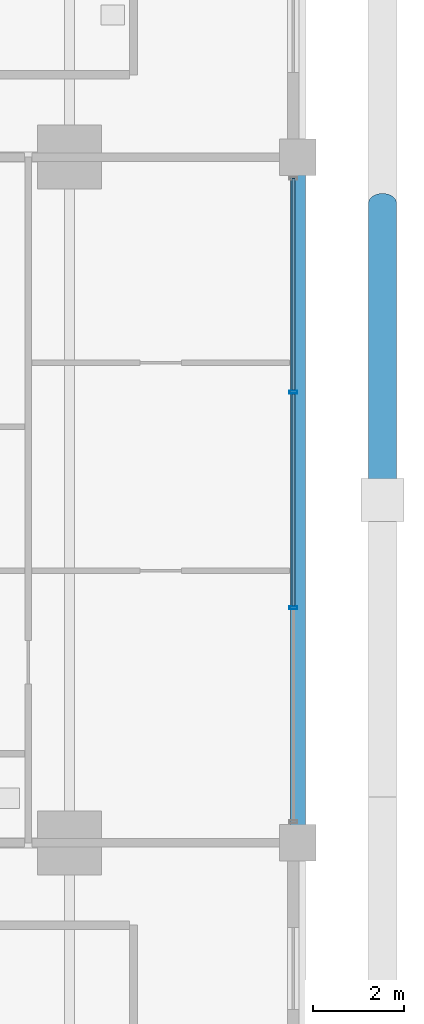
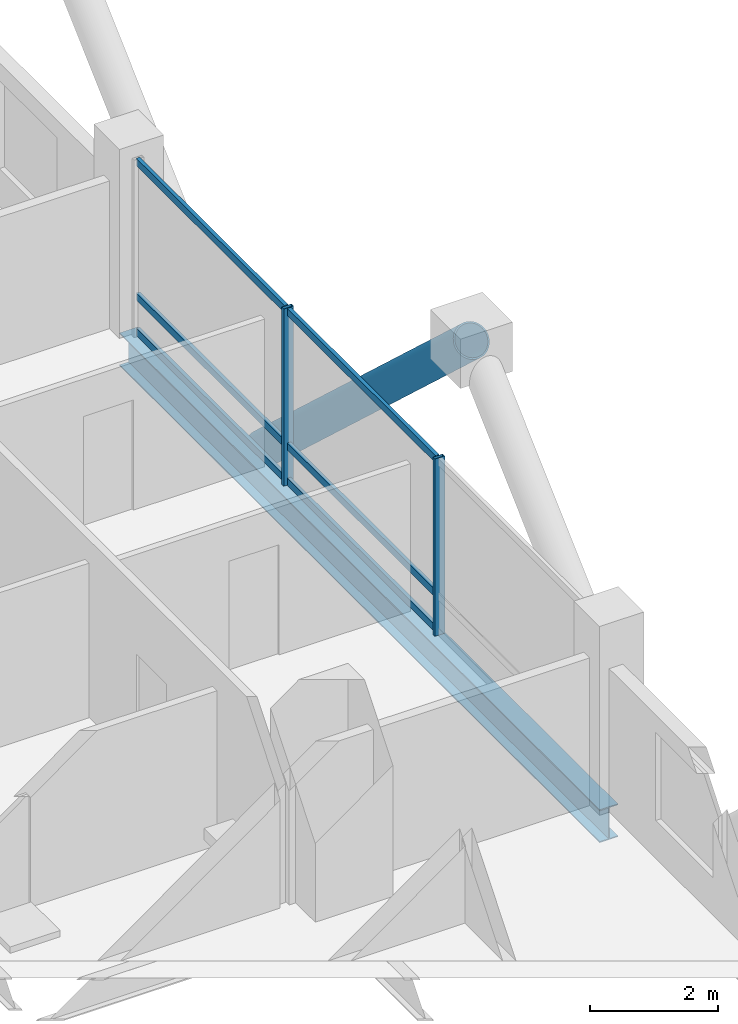
# One storey, part 10 of 23: 9 members, 1 beam, 1 element without a shape of its own.
"""IFC4 building model written with IfcOpenShell, lengths in metres."""

from ifc_helpers import new_model, si_unit, direction, frame, origin, origin_2d, place, context, subcontext, project, spatial, hollow_rectangle, hollow_circle, i_section, extrude, material, layer, layer_set, material_profile, profile_set, type_object, element, aggregate, save


model = new_model("IFC4")

# Units and contexts
model_context = context("Model", 3, precision=1e-05, world=origin(), true_north=direction((0.0, 1.0)))
body_context = subcontext(model_context, "Body", "Model", "MODEL_VIEW")
ifc_project = project(units=[si_unit("LENGTHUNIT", "METRE"), si_unit("AREAUNIT", "SQUARE_METRE"), si_unit("VOLUMEUNIT", "CUBIC_METRE"), si_unit("PLANEANGLEUNIT", "RADIAN"), si_unit("MASSUNIT", "GRAM", prefix="KILO")], contexts=[model_context])

# Site, building, storey
site_placement = place(None, origin())
site = spatial("IfcSite", under=ifc_project, at=site_placement, CompositionType="ELEMENT")
building_placement = place(site_placement, origin())
building = spatial("IfcBuilding", under=site, at=building_placement, Name="Barlavira Tower and Art Museum", CompositionType="ELEMENT")
storey_placement = place(building_placement, frame((0.0, 0.0, 36.0)))
storey = spatial("IfcBuildingStorey", under=building, at=storey_placement, Name="L07", CompositionType="ELEMENT", Elevation=36.0)

# Curtain wall, members
ifc_material_1 = material(Name="Low-iron coastal laminated glass", Category="glass")
ifc_layer = layer(ifc_material_1, 0.179931640625, Name="Low-iron coastal laminated glass")
ifc_layer_set = layer_set([ifc_layer], Name="Low-iron coastal laminated glass")
curtain_wall_type = type_object("IfcCurtainWallType", Name="Pale-Metal Unitised Curtain Wall Zone 1", PredefinedType="NOTDEFINED", material=ifc_layer_set)
curtain_wall_placement = place(storey_placement, origin())
curtain_wall = element("IfcCurtainWall", 1, at=curtain_wall_placement, inside=storey, type_object=curtain_wall_type, Name="L07 Curtain Wall CW1-L07-E-B3", PredefinedType="NOTDEFINED")
ifc_material_2 = material(Name="Pale anodised aluminium", Category="aluminium")
ifc_material_profile_1 = material_profile(ifc_material_2, hollow_rectangle(XDim=0.06494140625, YDim=0.179931640625, WallThickness=0.00390625, at=origin_2d()), Name="ALU-MULL 65x180x4")
ifc_profile_set_1 = profile_set([ifc_material_profile_1], Name="Pale anodised aluminium")
member_type_1 = type_object("IfcMemberType", Name="Curtain Wall Pale-Metal Mullion 65x180", PredefinedType="MULLION", material=ifc_profile_set_1)
member_1_placement = place(storey_placement, frame((21.89990234375, -2.360107421875, 0.0), z_axis=(0.0, 0.0, 1.0), x_axis=(0.0, 1.0, 0.0)))
member_1 = element("IfcMember", 2, at=member_1_placement, type_object=member_type_1, Name="CW1-L07-E-B3 Mullion 1", PredefinedType="MULLION", context=body_context, shape_type="SweptSolid", body=[
    extrude(hollow_rectangle(XDim=0.06494140625, YDim=0.179931640625, WallThickness=0.00390625, at=origin_2d()), origin(), (0.0, 0.0, 1.0), 3.3798828125),
])
member_2_placement = place(storey_placement, frame((21.89990234375, 2.360107421875, 0.0), z_axis=(0.0, 0.0, 1.0), x_axis=(0.0, 1.0, 0.0)))
member_2 = element("IfcMember", 3, at=member_2_placement, type_object=member_type_1, Name="CW1-L07-E-B3 Mullion 2", PredefinedType="MULLION", context=body_context, shape_type="SweptSolid", body=[
    extrude(hollow_rectangle(XDim=0.06494140625, YDim=0.179931640625, WallThickness=0.00390625, at=origin_2d()), origin(), (0.0, 0.0, 1.0), 3.3798828125),
])
ifc_material_profile_2 = material_profile(ifc_material_2, hollow_rectangle(XDim=0.06494140625, YDim=0.139892578125, WallThickness=0.00390625, at=origin_2d()), Name="ALU-TRAN 65x140x4")
ifc_profile_set_2 = profile_set([ifc_material_profile_2], Name="Pale anodised aluminium")
member_type_2 = type_object("IfcMemberType", Name="Curtain Wall Pale-Metal Transom 65x140", PredefinedType="USERDEFINED", material=ifc_profile_set_2)
member_3_placement = place(storey_placement, frame((21.89990234375, -2.31494140625, 0.070068359375), z_axis=(0.0, 1.0, 0.0), x_axis=(-1.0, 0.0, 0.0)))
member_3 = element("IfcMember", 4, at=member_3_placement, type_object=member_type_2, Name="CW1-L07-E-B3 Transom 1.1", ObjectType="TRANSOM", PredefinedType="USERDEFINED", context=body_context, shape_type="SweptSolid", body=[
    extrude(hollow_rectangle(XDim=0.06494140625, YDim=0.139892578125, WallThickness=0.00390625, at=origin_2d()), origin(), (0.0, 0.0, 1.0), 4.6298828125),
])
member_4_placement = place(storey_placement, frame((21.89990234375, -2.31494140625, 0.743896484375), z_axis=(0.0, 1.0, 0.0), x_axis=(-1.0, 0.0, 0.0)))
member_4 = element("IfcMember", 5, at=member_4_placement, type_object=member_type_2, Name="CW1-L07-E-B3 Transom 1.2", ObjectType="TRANSOM", PredefinedType="USERDEFINED", context=body_context, shape_type="SweptSolid", body=[
    extrude(hollow_rectangle(XDim=0.06494140625, YDim=0.139892578125, WallThickness=0.00390625, at=origin_2d()), origin(), (0.0, 0.0, 1.0), 4.6298828125),
])
member_5_placement = place(storey_placement, frame((21.89990234375, -2.31494140625, 3.31005859375), z_axis=(0.0, 1.0, 0.0), x_axis=(-1.0, 0.0, 0.0)))
member_5 = element("IfcMember", 6, at=member_5_placement, type_object=member_type_2, Name="CW1-L07-E-B3 Transom 1.3", ObjectType="TRANSOM", PredefinedType="USERDEFINED", context=body_context, shape_type="SweptSolid", body=[
    extrude(hollow_rectangle(XDim=0.06494140625, YDim=0.139892578125, WallThickness=0.00390625, at=origin_2d()), origin(), (0.0, 0.0, 1.0), 4.6298828125),
])
member_6_placement = place(storey_placement, frame((21.89990234375, 2.405029296875, 0.070068359375), z_axis=(0.0, 1.0, 0.0), x_axis=(-1.0, 0.0, 0.0)))
member_6 = element("IfcMember", 7, at=member_6_placement, type_object=member_type_2, Name="CW1-L07-E-B3 Transom 2.1", ObjectType="TRANSOM", PredefinedType="USERDEFINED", context=body_context, shape_type="SweptSolid", body=[
    extrude(hollow_rectangle(XDim=0.06494140625, YDim=0.139892578125, WallThickness=0.00390625, at=origin_2d()), origin(), (0.0, 0.0, 1.0), 4.6298828125),
])
member_7_placement = place(storey_placement, frame((21.89990234375, 2.405029296875, 0.743896484375), z_axis=(0.0, 1.0, 0.0), x_axis=(-1.0, 0.0, 0.0)))
member_7 = element("IfcMember", 8, at=member_7_placement, type_object=member_type_2, Name="CW1-L07-E-B3 Transom 2.2", ObjectType="TRANSOM", PredefinedType="USERDEFINED", context=body_context, shape_type="SweptSolid", body=[
    extrude(hollow_rectangle(XDim=0.06494140625, YDim=0.139892578125, WallThickness=0.00390625, at=origin_2d()), origin(), (0.0, 0.0, 1.0), 4.6298828125),
])
member_8_placement = place(storey_placement, frame((21.89990234375, 2.405029296875, 3.31005859375), z_axis=(0.0, 1.0, 0.0), x_axis=(-1.0, 0.0, 0.0)))
member_8 = element("IfcMember", 9, at=member_8_placement, type_object=member_type_2, Name="CW1-L07-E-B3 Transom 2.3", ObjectType="TRANSOM", PredefinedType="USERDEFINED", context=body_context, shape_type="SweptSolid", body=[
    extrude(hollow_rectangle(XDim=0.06494140625, YDim=0.139892578125, WallThickness=0.00390625, at=origin_2d()), origin(), (0.0, 0.0, 1.0), 4.6298828125),
])
aggregate(curtain_wall, [member_1, member_2, member_3, member_4, member_5, member_6, member_7, member_8])

# Member
ifc_material_3 = material(Name="Steel S355", Category="steel")
ifc_material_profile_3 = material_profile(ifc_material_3, hollow_circle(Radius=0.304931640625, WallThickness=0.028076171875, at=origin_2d()), Name="CHS 610.0x28.0")
ifc_profile_set_3 = profile_set([ifc_material_profile_3], Name="Steel S355")
member_type_3 = type_object("IfcMemberType", Name="Pale-Metal Exoskeleton Diagrid Tube CHS 610x28 Steel S355", PredefinedType="BRACE", material=ifc_profile_set_3)
member_9_placement = place(storey_placement, frame((23.85009765625, 6.5, -2.52001953125), z_axis=(0.0, -0.734803444627, 0.678280102733), x_axis=(1.0, 0.0, 0.0)))
element("IfcMember", 10, at=member_9_placement, inside=storey, type_object=member_type_3, Name="L07 Exoskeleton Diagrid Tube E", PredefinedType="BRACE", context=body_context, shape_type="SweptSolid", body=[
    extrude(hollow_circle(Radius=0.304931640625, WallThickness=0.028076171875, at=origin_2d()), origin(), (0.0, 0.0, 1.0), 8.845947265625),
])

# Beam
ifc_material_profile_4 = material_profile(ifc_material_3, i_section(OverallWidth=0.327880859375, OverallDepth=0.62890625, WebThickness=0.013916015625, FlangeThickness=0.021484375, at=origin_2d()), Name="W610x174.0")
ifc_profile_set_4 = profile_set([ifc_material_profile_4], Name="Steel S355")
beam_type = type_object("IfcBeamType", Name="Perimeter Spandrel Edge Beam W610x174 Steel S355", PredefinedType="SPANDREL", material=ifc_profile_set_4)
beam_placement = place(storey_placement, frame((22.0, -7.5, -0.534423828125), z_axis=(0.0, 1.0, 0.0), x_axis=(-1.0, 0.0, 0.0)))
element("IfcBeam", 11, at=beam_placement, inside=storey, type_object=beam_type, Name="L07 Spandrel 6", PredefinedType="SPANDREL", context=body_context, shape_type="SweptSolid", body=[
    extrude(i_section(OverallWidth=0.327880859375, OverallDepth=0.62890625, WebThickness=0.013916015625, FlangeThickness=0.021484375, at=origin_2d()), origin(), (0.0, 0.0, 1.0), 15.0),
])

save(model, "model.ifc")
